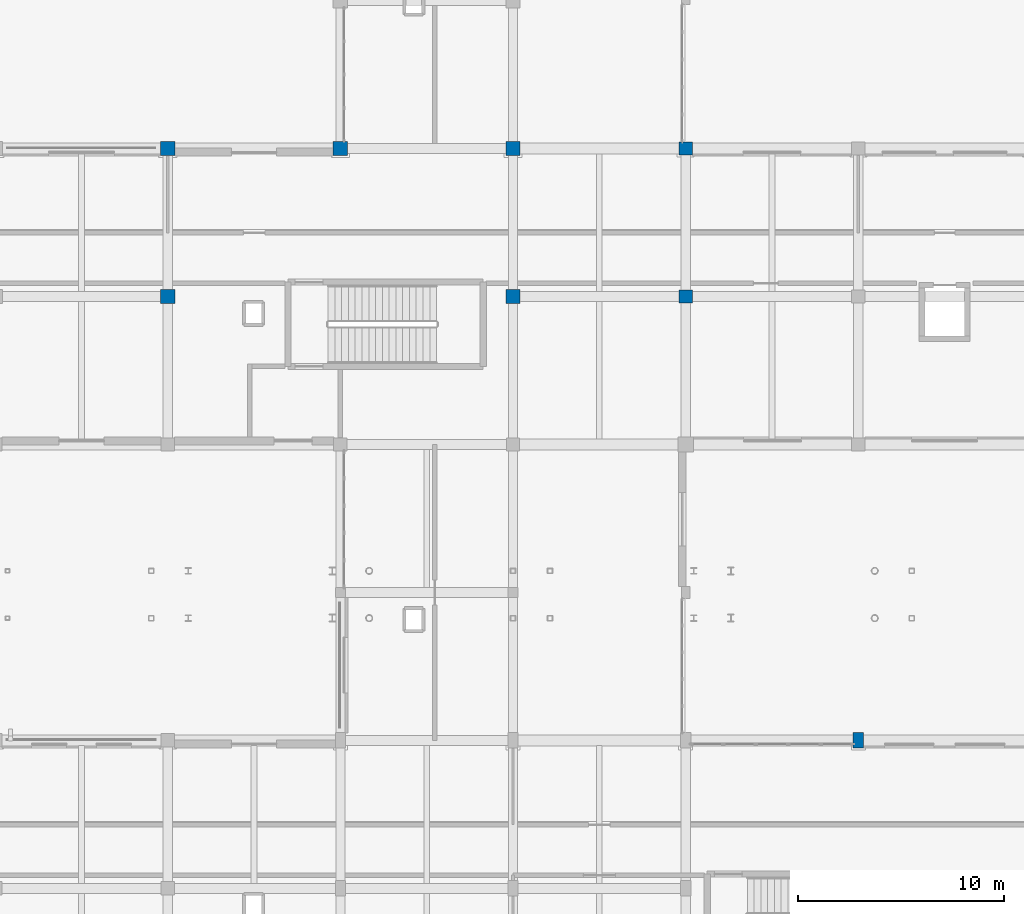
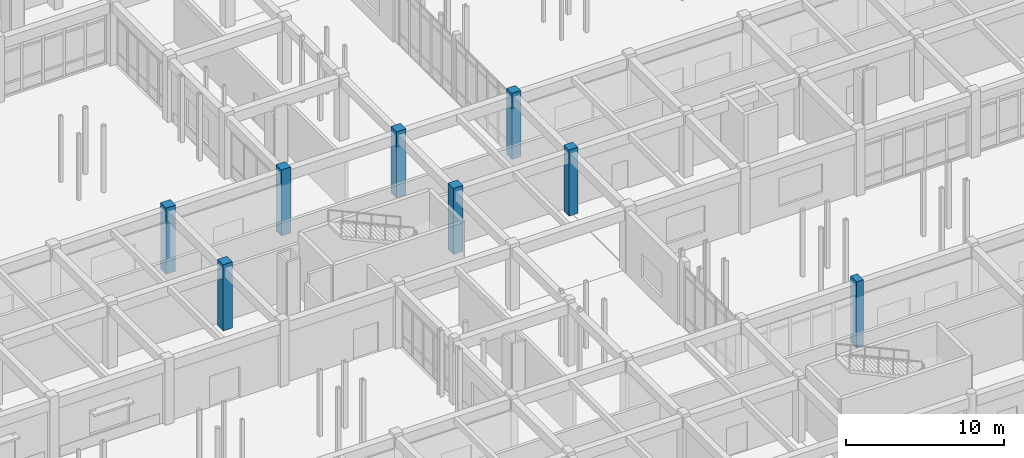
# One storey, part 20 of 121: 8 columns.
"""IFC4 building model written with IfcOpenShell, lengths in metres."""

from ifc_helpers import new_model, si_unit, direction, frame, origin, origin_2d, place, context, subcontext, project, spatial, rectangle, extrude, material, material_profile, profile_set, type_object, element, save


model = new_model("IFC4")

# Units and contexts
model_context = context("Model", 3, precision=1e-05, world=origin(), true_north=direction((0.0, 1.0)))
body_context = subcontext(model_context, "Body", "Model", "MODEL_VIEW")
ifc_project = project(units=[si_unit("LENGTHUNIT", "METRE"), si_unit("AREAUNIT", "SQUARE_METRE"), si_unit("VOLUMEUNIT", "CUBIC_METRE"), si_unit("PLANEANGLEUNIT", "RADIAN"), si_unit("MASSUNIT", "GRAM", prefix="KILO")], contexts=[model_context])

# Site, building, storey
site_placement = place(None, origin())
site = spatial("IfcSite", under=ifc_project, at=site_placement, CompositionType="ELEMENT")
building_placement = place(site_placement, origin())
building = spatial("IfcBuilding", under=site, at=building_placement, Name="Malvenik Polytechnic", CompositionType="ELEMENT")
storey_placement = place(building_placement, origin())
storey = spatial("IfcBuildingStorey", under=building, at=storey_placement, Name="L00", CompositionType="ELEMENT", Elevation=0.0)

# Columns
ifc_material_1 = material(Name="Concrete C40/50", Category="concrete")
ifc_material_profile_1 = material_profile(ifc_material_1, rectangle(XDim=0.699951171875, YDim=0.699951171875, at=origin_2d()), Name="RC COL 700x700")
ifc_profile_set_1 = profile_set([ifc_material_profile_1], Name="Concrete C40/50")
column_type_1 = type_object("IfcColumnType", Name="STR-COL-C-04", PredefinedType="COLUMN", material=ifc_profile_set_1)
for number, where, z_axis, x_axis, name in (
    (1, (67.199951171875, 86.39990234375, 0.0), (0.0, 0.0, 1.0), (1.0, 0.0, 0.0), "Column C-04 L00 (67.2,86.4)"),
    (2, (67.199951171875, 93.60009765625, 0.0), (0.0, 0.0, 1.0), (1.0, 0.0, 0.0), "Column C-04 L00 (67.2,93.6)"),
    (3, (75.60009765625, 93.60009765625, 0.0), (0.0, 0.0, 1.0), (1.0, 0.0, 0.0), "Column C-04 L00 (75.6,93.6)"),
    (4, (84.0, 86.39990234375, 0.0), (0.0, 0.0, 1.0), (1.0, 0.0, 0.0), "Column C-04 L00 (84.0,86.4)"),
    (5, (84.0, 93.60009765625, 0.0), (0.0, 0.0, 1.0), (1.0, 0.0, 0.0), "Column C-04 L00 (84.0,93.6)"),
):
    element("IfcColumn", number, at=place(storey_placement, frame(where, z_axis=z_axis, x_axis=x_axis)), inside=storey, type_object=column_type_1, Name=name, PredefinedType="COLUMN", context=body_context, shape_type="SweptSolid", body=[
        extrude(rectangle(XDim=0.699951171875, YDim=0.699951171875, at=origin_2d()), origin(), (0.0, 0.0, 1.0), 5.10009765625),
    ])
ifc_material_2 = material(Name="Concrete C35/45", Category="concrete")
ifc_material_profile_2 = material_profile(ifc_material_2, rectangle(XDim=0.64990234375, YDim=0.64990234375, at=origin_2d()), Name="RC COL 650x650")
ifc_profile_set_2 = profile_set([ifc_material_profile_2], Name="Concrete C35/45")
column_type_2 = type_object("IfcColumnType", Name="STR-COL-C-05", PredefinedType="COLUMN", material=ifc_profile_set_2)
for number, where, z_axis, x_axis, name in (
    (6, (92.39990234375, 86.39990234375, 0.0), (0.0, 0.0, 1.0), (1.0, 0.0, 0.0), "Column C-05 L00 (92.4,86.4)"),
    (7, (92.39990234375, 93.60009765625, 0.0), (0.0, 0.0, 1.0), (1.0, 0.0, 0.0), "Column C-05 L00 (92.4,93.6)"),
):
    element("IfcColumn", number, at=place(storey_placement, frame(where, z_axis=z_axis, x_axis=x_axis)), inside=storey, type_object=column_type_2, Name=name, PredefinedType="COLUMN", context=body_context, shape_type="SweptSolid", body=[
        extrude(rectangle(XDim=0.64990234375, YDim=0.64990234375, at=origin_2d()), origin(), (0.0, 0.0, 1.0), 5.10009765625),
    ])
ifc_material_profile_3 = material_profile(ifc_material_2, rectangle(XDim=0.5, YDim=0.75, at=origin_2d()), Name="RC COL 750x500")
ifc_profile_set_3 = profile_set([ifc_material_profile_3], Name="Concrete C35/45")
column_type_3 = type_object("IfcColumnType", Name="STR-COL-C-14", PredefinedType="COLUMN", material=ifc_profile_set_3)
column_placement = place(storey_placement, frame((100.800048828125, 64.800048828125, 0.0), z_axis=(0.0, 0.0, 1.0), x_axis=(1.0, 0.0, 0.0)))
element("IfcColumn", 8, at=column_placement, inside=storey, type_object=column_type_3, Name="Column C-14 L00 (100.8,64.8)", PredefinedType="COLUMN", context=body_context, shape_type="SweptSolid", body=[
    extrude(rectangle(XDim=0.5, YDim=0.75, at=origin_2d()), origin(), (0.0, 0.0, 1.0), 5.10009765625),
])

save(model, "model.ifc")
